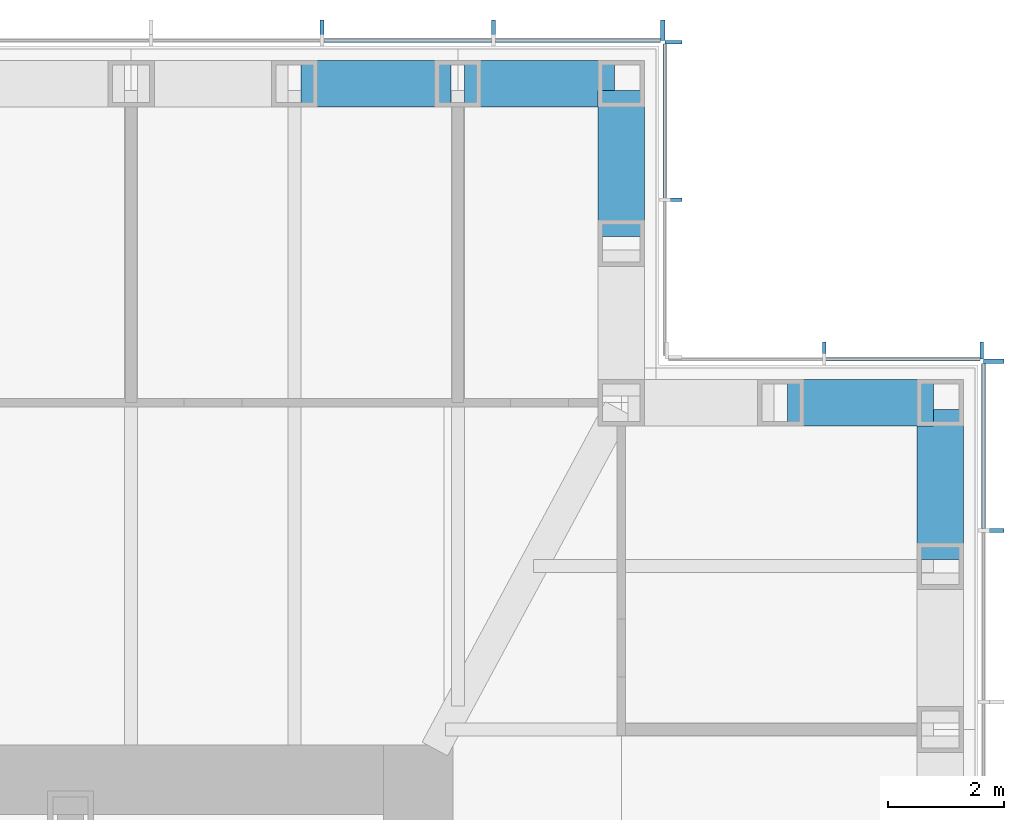
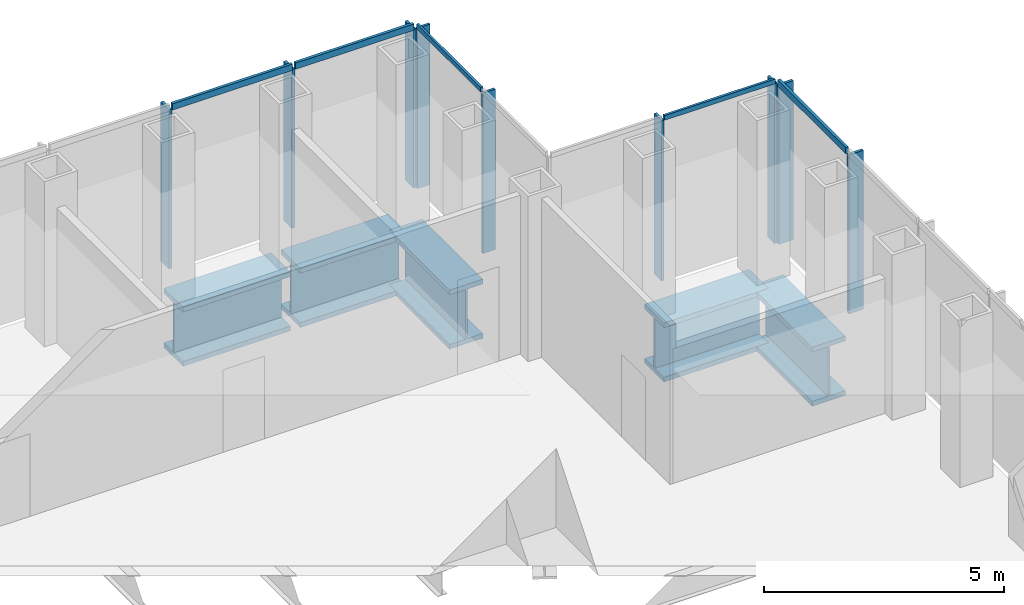
# One storey, part 6 of 16: 14 members, 5 beams, 4 elements without a shape of their own.
"""IFC4 building model written with IfcOpenShell, lengths in metres."""

from ifc_helpers import new_model, si_unit, direction, frame, origin, origin_2d, place, context, subcontext, project, spatial, rectangle, i_section, extrude, material, material_profile, profile_set, type_object, element, aggregate, save


model = new_model("IFC4")

# Units and contexts
model_context = context("Model", 3, precision=1e-05, world=origin(), true_north=direction((0.0, 1.0)))
body_context = subcontext(model_context, "Body", "Model", "MODEL_VIEW")
ifc_project = project(units=[si_unit("LENGTHUNIT", "METRE"), si_unit("AREAUNIT", "SQUARE_METRE"), si_unit("VOLUMEUNIT", "CUBIC_METRE"), si_unit("PLANEANGLEUNIT", "RADIAN"), si_unit("MASSUNIT", "GRAM", prefix="KILO")], contexts=[model_context])

# Site, building, storey
site_placement = place(None, origin())
site = spatial("IfcSite", under=ifc_project, at=site_placement, CompositionType="ELEMENT")
building_placement = place(site_placement, origin())
building = spatial("IfcBuilding", under=site, at=building_placement, Name="Daluyong Arena Tower", CompositionType="ELEMENT")
storey_placement = place(building_placement, frame((0.0, 0.0, 219.10009765625)))
storey = spatial("IfcBuildingStorey", under=building, at=storey_placement, Name="L49", CompositionType="ELEMENT", Elevation=219.10009765625)

# Curtain wall, members
ifc_material_1 = material(Name="Bronze anodised aluminium and glass", Category="aluminium")
curtain_wall_type_1 = type_object("IfcCurtainWallType", Name="Curtain wall CW3", PredefinedType="USERDEFINED", material=ifc_material_1)
curtain_wall_1_placement = place(storey_placement, origin())
curtain_wall_1 = element("IfcCurtainWall", 1, at=curtain_wall_1_placement, inside=storey, type_object=curtain_wall_type_1, Name="curtain wall L49 E", ObjectType="UNITISED CURTAIN WALL", PredefinedType="USERDEFINED")
ifc_material_2 = material(Name="Bronze anodised aluminium fin", Category="aluminium")
ifc_material_profile_1 = material_profile(ifc_material_2, rectangle(XDim=0.35009765625, YDim=0.070068359375, at=origin_2d()))
ifc_profile_set_1 = profile_set([ifc_material_profile_1], Name="Bronze anodised aluminium fin")
member_type_1 = type_object("IfcMemberType", Name="CW3 bronze fin 350x70", PredefinedType="MULLION", material=ifc_profile_set_1)
member_1_placement = place(storey_placement, frame((77.925048828125, 93.29541015625, 0.0), z_axis=(0.0, 0.0, 1.0), x_axis=(-1.0, 0.0, 0.0)))
member_1 = element("IfcMember", 2, at=member_1_placement, type_object=member_type_1, Name="curtain wall L49 E fin 11", PredefinedType="MULLION", context=body_context, shape_type="SweptSolid", body=[
    extrude(rectangle(XDim=0.35009765625, YDim=0.070068359375, at=origin_2d()), origin(), (0.0, 0.0, 1.0), 4.039794921875),
])
member_2_placement = place(storey_placement, frame((77.925048828125, 96.215087890625, 0.0), z_axis=(0.0, 0.0, 1.0), x_axis=(-1.0, 0.0, 0.0)))
member_2 = element("IfcMember", 3, at=member_2_placement, type_object=member_type_1, Name="curtain wall L49 E fin 12", PredefinedType="MULLION", context=body_context, shape_type="SweptSolid", body=[
    extrude(rectangle(XDim=0.35009765625, YDim=0.070068359375, at=origin_2d()), origin(), (0.0, 0.0, 1.0), 4.039794921875),
])

curtain_wall_2_placement = place(storey_placement, origin())
curtain_wall_2 = element("IfcCurtainWall", 4, at=curtain_wall_2_placement, inside=storey, type_object=curtain_wall_type_1, Name="curtain wall L49 N", ObjectType="UNITISED CURTAIN WALL", PredefinedType="USERDEFINED")
member_3_placement = place(storey_placement, frame((72.215087890625, 101.925048828125, 0.0), z_axis=(0.0, 0.0, 1.0), x_axis=(0.0, -1.0, 0.0)))
member_3 = element("IfcMember", 5, at=member_3_placement, type_object=member_type_1, Name="curtain wall L49 N fin 1", PredefinedType="MULLION", context=body_context, shape_type="SweptSolid", body=[
    extrude(rectangle(XDim=0.35009765625, YDim=0.070068359375, at=origin_2d()), origin(), (0.0, 0.0, 1.0), 4.039794921875),
])
member_4_placement = place(storey_placement, frame((69.29541015625, 101.925048828125, 0.0), z_axis=(0.0, 0.0, 1.0), x_axis=(0.0, -1.0, 0.0)))
member_4 = element("IfcMember", 6, at=member_4_placement, type_object=member_type_1, Name="curtain wall L49 N fin 2", PredefinedType="MULLION", context=body_context, shape_type="SweptSolid", body=[
    extrude(rectangle(XDim=0.35009765625, YDim=0.070068359375, at=origin_2d()), origin(), (0.0, 0.0, 1.0), 4.039794921875),
])
member_5_placement = place(storey_placement, frame((66.3408203125, 101.925048828125, 0.0), z_axis=(0.0, 0.0, 1.0), x_axis=(0.0, -1.0, 0.0)))
member_5 = element("IfcMember", 7, at=member_5_placement, type_object=member_type_1, Name="curtain wall L49 N fin 3", PredefinedType="MULLION", context=body_context, shape_type="SweptSolid", body=[
    extrude(rectangle(XDim=0.35009765625, YDim=0.070068359375, at=origin_2d()), origin(), (0.0, 0.0, 1.0), 4.039794921875),
])

# Member
ifc_material_3 = material(Name="Bronze anodised aluminium", Category="aluminium")
ifc_material_profile_2 = material_profile(ifc_material_3, rectangle(XDim=0.070068359375, YDim=0.159912109375, at=origin_2d()))
ifc_profile_set_2 = profile_set([ifc_material_profile_2], Name="Bronze anodised aluminium")
member_type_2 = type_object("IfcMemberType", Name="CW3 stack transom 160x70", PredefinedType="USERDEFINED", material=ifc_profile_set_2)
member_6_placement = place(storey_placement, frame((77.75, 93.33056640625, 4.119873046875), z_axis=(0.0, 1.0, 0.0), x_axis=(-1.0, 0.0, 0.0)))
member_6 = element("IfcMember", 8, at=member_6_placement, type_object=member_type_2, Name="curtain wall L49 E transom 11", ObjectType="TRANSOM", PredefinedType="USERDEFINED", context=body_context, shape_type="SweptSolid", body=[
    extrude(rectangle(XDim=0.070068359375, YDim=0.159912109375, at=origin_2d()), origin(), (0.0, 0.0, 1.0), 2.849365234375),
])

aggregate(curtain_wall_1, [member_1, member_2, member_6])

member_7_placement = place(storey_placement, frame((72.179931640625, 101.75, 4.119873046875), z_axis=(-1.0, 0.0, 0.0), x_axis=(0.0, -1.0, 0.0)))
member_7 = element("IfcMember", 9, at=member_7_placement, type_object=member_type_2, Name="curtain wall L49 N transom 1", ObjectType="TRANSOM", PredefinedType="USERDEFINED", context=body_context, shape_type="SweptSolid", body=[
    extrude(rectangle(XDim=0.070068359375, YDim=0.159912109375, at=origin_2d()), origin(), (0.0, 0.0, 1.0), 2.849365234375),
])

member_8_placement = place(storey_placement, frame((69.260498046875, 101.75, 4.119873046875), z_axis=(-1.0, 0.0, 0.0), x_axis=(0.0, -1.0, 0.0)))
member_8 = element("IfcMember", 10, at=member_8_placement, type_object=member_type_2, Name="curtain wall L49 N transom 2", ObjectType="TRANSOM", PredefinedType="USERDEFINED", context=body_context, shape_type="SweptSolid", body=[
    extrude(rectangle(XDim=0.070068359375, YDim=0.159912109375, at=origin_2d()), origin(), (0.0, 0.0, 1.0), 2.884521484375),
])

aggregate(curtain_wall_2, [member_3, member_4, member_5, member_7, member_8])

# Curtain wall, members
ifc_material_4 = material(Name="Bronze anodised aluminium and glass", Category="aluminium")
curtain_wall_type_2 = type_object("IfcCurtainWallType", Name="Curtain wall CW7", PredefinedType="USERDEFINED", material=ifc_material_4)
curtain_wall_3_placement = place(storey_placement, origin())
curtain_wall_3 = element("IfcCurtainWall", 11, at=curtain_wall_3_placement, inside=storey, type_object=curtain_wall_type_2, Name="curtain wall L49 NE-N", ObjectType="UNITISED CURTAIN WALL", PredefinedType="USERDEFINED")
ifc_material_5 = material(Name="Bronze anodised aluminium fin", Category="aluminium")
ifc_material_profile_3 = material_profile(ifc_material_5, rectangle(XDim=0.300048828125, YDim=0.06005859375, at=origin_2d()))
ifc_profile_set_3 = profile_set([ifc_material_profile_3], Name="Bronze anodised aluminium fin")
member_type_3 = type_object("IfcMemberType", Name="CW7 bronze fin 300x60", PredefinedType="MULLION", material=ifc_profile_set_3)
member_9_placement = place(storey_placement, frame((77.719970703125, 96.39990234375, 0.0), z_axis=(0.0, 0.0, 1.0), x_axis=(0.0, -1.0, 0.0)))
member_9 = element("IfcMember", 12, at=member_9_placement, type_object=member_type_3, Name="curtain wall L49 NE-N fin 1", PredefinedType="MULLION", context=body_context, shape_type="SweptSolid", body=[
    extrude(rectangle(XDim=0.300048828125, YDim=0.06005859375, at=origin_2d()), origin(), (0.0, 0.0, 1.0), 4.079833984375),
])
member_10_placement = place(storey_placement, frame((75.0, 96.39990234375, 0.0), z_axis=(0.0, 0.0, 1.0), x_axis=(0.0, -1.0, 0.0)))
member_10 = element("IfcMember", 13, at=member_10_placement, type_object=member_type_3, Name="curtain wall L49 NE-N fin 2", PredefinedType="MULLION", context=body_context, shape_type="SweptSolid", body=[
    extrude(rectangle(XDim=0.300048828125, YDim=0.06005859375, at=origin_2d()), origin(), (0.0, 0.0, 1.0), 4.079833984375),
])

curtain_wall_4_placement = place(storey_placement, origin())
curtain_wall_4 = element("IfcCurtainWall", 14, at=curtain_wall_4_placement, inside=storey, type_object=curtain_wall_type_2, Name="curtain wall L49 NE-E", ObjectType="UNITISED CURTAIN WALL", PredefinedType="USERDEFINED")
member_11_placement = place(storey_placement, frame((72.39990234375, 99.0, 0.0), z_axis=(0.0, 0.0, 1.0), x_axis=(-1.0, 0.0, 0.0)))
member_11 = element("IfcMember", 15, at=member_11_placement, type_object=member_type_3, Name="curtain wall L49 NE-E fin 2", PredefinedType="MULLION", context=body_context, shape_type="SweptSolid", body=[
    extrude(rectangle(XDim=0.300048828125, YDim=0.06005859375, at=origin_2d()), origin(), (0.0, 0.0, 1.0), 4.079833984375),
])
member_12_placement = place(storey_placement, frame((72.39990234375, 101.719970703125, 0.0), z_axis=(0.0, 0.0, 1.0), x_axis=(-1.0, 0.0, 0.0)))
member_12 = element("IfcMember", 16, at=member_12_placement, type_object=member_type_3, Name="curtain wall L49 NE-E fin 3", PredefinedType="MULLION", context=body_context, shape_type="SweptSolid", body=[
    extrude(rectangle(XDim=0.300048828125, YDim=0.06005859375, at=origin_2d()), origin(), (0.0, 0.0, 1.0), 4.079833984375),
])

# Member
ifc_material_6 = material(Name="Bronze anodised aluminium", Category="aluminium")
ifc_material_profile_4 = material_profile(ifc_material_6, rectangle(XDim=0.06005859375, YDim=0.1201171875, at=origin_2d()))
ifc_profile_set_4 = profile_set([ifc_material_profile_4], Name="Bronze anodised aluminium")
member_type_4 = type_object("IfcMemberType", Name="CW7 stack transom 120x60", PredefinedType="USERDEFINED", material=ifc_profile_set_4)
member_13_placement = place(storey_placement, frame((77.68994140625, 96.25, 4.139892578125), z_axis=(-1.0, 0.0, 0.0), x_axis=(0.0, -1.0, 0.0)))
member_13 = element("IfcMember", 17, at=member_13_placement, type_object=member_type_4, Name="curtain wall L49 NE-N transom 1", ObjectType="TRANSOM", PredefinedType="USERDEFINED", context=body_context, shape_type="SweptSolid", body=[
    extrude(rectangle(XDim=0.06005859375, YDim=0.1201171875, at=origin_2d()), origin(), (0.0, 0.0, 1.0), 2.659912109375),
])

aggregate(curtain_wall_3, [member_9, member_10, member_13])

member_14_placement = place(storey_placement, frame((72.25, 99.030029296875, 4.139892578125), z_axis=(0.0, 1.0, 0.0), x_axis=(-1.0, 0.0, 0.0)))
member_14 = element("IfcMember", 18, at=member_14_placement, type_object=member_type_4, Name="curtain wall L49 NE-E transom 2", ObjectType="TRANSOM", PredefinedType="USERDEFINED", context=body_context, shape_type="SweptSolid", body=[
    extrude(rectangle(XDim=0.06005859375, YDim=0.1201171875, at=origin_2d()), origin(), (0.0, 0.0, 1.0), 2.659912109375),
])

aggregate(curtain_wall_4, [member_11, member_12, member_14])

# Beams
ifc_material_7 = material(Name="Steel ASTM A588 Grade 50", Category="steel")
ifc_material_profile_5 = material_profile(ifc_material_7, i_section(OverallWidth=0.800048828125, OverallDepth=1.5, WebThickness=0.05, FlangeThickness=0.12, at=origin_2d()))
ifc_profile_set_5 = profile_set([ifc_material_profile_5], Name="Steel ASTM A588 Grade 50")
beam_type = type_object("IfcBeamType", Name="Spandrel Z3 PG1500X800", PredefinedType="SPANDREL", material=ifc_profile_set_5)
beam_1_placement = place(storey_placement, frame((77.0, 92.796875, -0.91015625), z_axis=(0.0, 1.0, 0.0), x_axis=(-1.0, 0.0, 0.0)))
element("IfcBeam", 19, at=beam_1_placement, inside=storey, type_object=beam_type, Name="spandrel z3 SB7", PredefinedType="SPANDREL", context=body_context, shape_type="SweptSolid", body=[
    extrude(i_section(OverallWidth=0.800048828125, OverallDepth=1.5, WebThickness=0.05, FlangeThickness=0.12, at=origin_2d()), origin(), (0.0, 0.0, 1.0), 2.588134765625),
])
for number, where, z_axis, x_axis, name in (
    (20, (76.885009765625, 95.5, -0.91015625), (-1.0, 0.0, 0.0), (0.0, -1.0, 0.0), "spandrel z3 SB7"),
    (21, (71.5, 98.364990234375, -0.91015625), (0.0, 1.0, 0.0), (-1.0, 0.0, 0.0), "spandrel z3 SB7"),
):
    element("IfcBeam", number, at=place(storey_placement, frame(where, z_axis=z_axis, x_axis=x_axis)), inside=storey, type_object=beam_type, Name=name, PredefinedType="SPANDREL", context=body_context, shape_type="SweptSolid", body=[
        extrude(i_section(OverallWidth=0.800048828125, OverallDepth=1.5, WebThickness=0.05, FlangeThickness=0.12, at=origin_2d()), origin(), (0.0, 0.0, 1.0), 2.52001953125),
    ])
beam_2_placement = place(storey_placement, frame((71.385009765625, 101.0, -0.91015625), z_axis=(-1.0, 0.0, 0.0), x_axis=(0.0, -1.0, 0.0)))
element("IfcBeam", 22, at=beam_2_placement, inside=storey, type_object=beam_type, Name="spandrel z3 SB7", PredefinedType="SPANDREL", context=body_context, shape_type="SweptSolid", body=[
    extrude(i_section(OverallWidth=0.800048828125, OverallDepth=1.5, WebThickness=0.05, FlangeThickness=0.12, at=origin_2d()), origin(), (0.0, 0.0, 1.0), 2.588134765625),
])
beam_3_placement = place(storey_placement, frame((68.56689453125, 101.0, -0.91015625), z_axis=(-1.0, 0.0, 0.0), x_axis=(0.0, -1.0, 0.0)))
element("IfcBeam", 23, at=beam_3_placement, inside=storey, type_object=beam_type, Name="spandrel z3 SB7", PredefinedType="SPANDREL", context=body_context, shape_type="SweptSolid", body=[
    extrude(i_section(OverallWidth=0.800048828125, OverallDepth=1.5, WebThickness=0.05, FlangeThickness=0.12, at=origin_2d()), origin(), (0.0, 0.0, 1.0), 2.58837890625),
])

save(model, "model.ifc")
